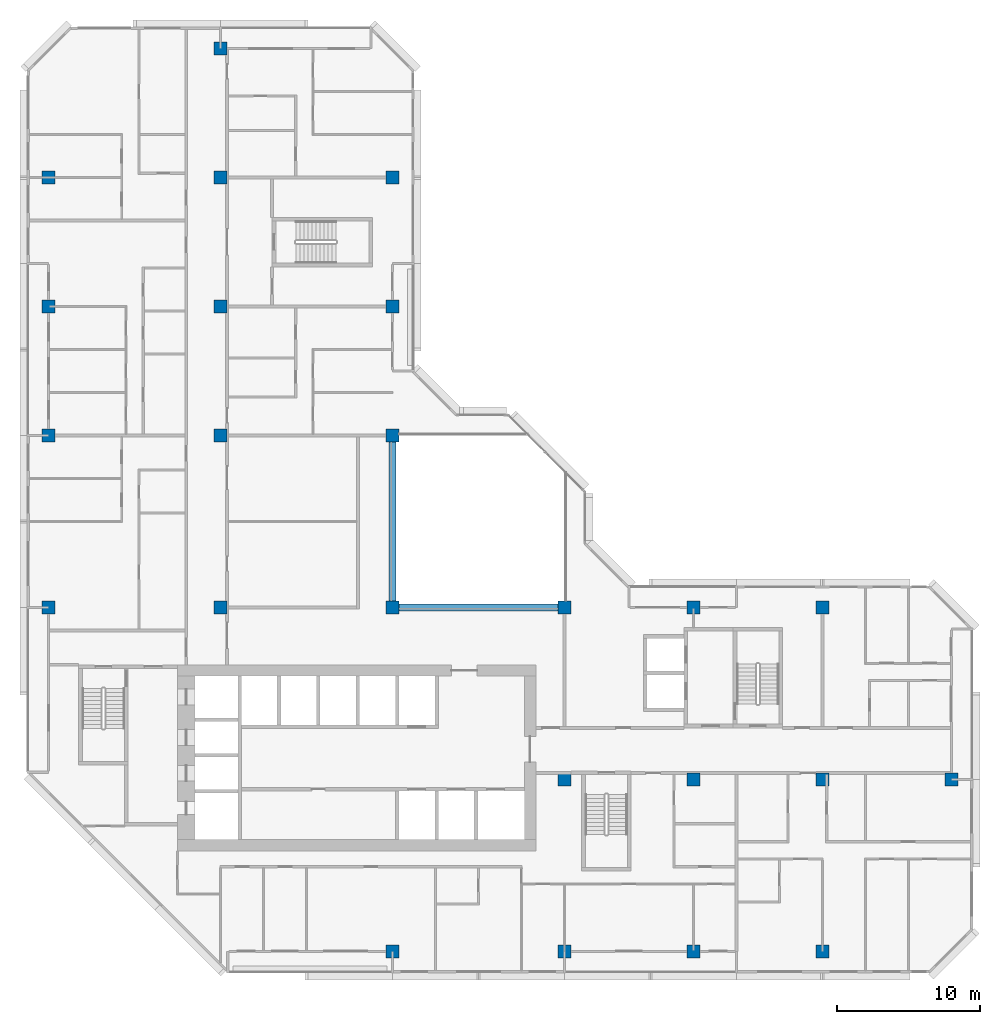
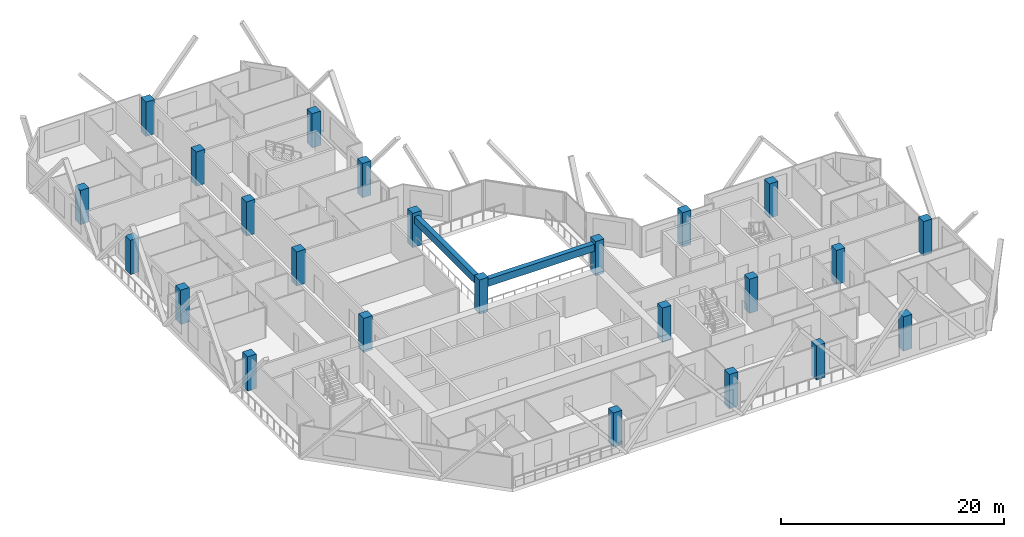
# One storey, part 1 of 14: 24 columns, 2 beams.
"""IFC4 building model written with IfcOpenShell, lengths in metres."""

from ifc_helpers import new_model, si_unit, direction, frame, origin, origin_2d, place, context, subcontext, project, spatial, rectangle, extrude, material, material_profile, profile_set, type_object, element, save


model = new_model("IFC4")

# Units and contexts
model_context = context("Model", 3, precision=1e-05, world=origin(), true_north=direction((0.0, 1.0)))
body_context = subcontext(model_context, "Body", "Model", "MODEL_VIEW")
ifc_project = project(units=[si_unit("LENGTHUNIT", "METRE"), si_unit("AREAUNIT", "SQUARE_METRE"), si_unit("VOLUMEUNIT", "CUBIC_METRE"), si_unit("PLANEANGLEUNIT", "RADIAN"), si_unit("MASSUNIT", "GRAM", prefix="KILO")], contexts=[model_context])

# Site, building, storey
site_placement = place(None, origin())
site = spatial("IfcSite", under=ifc_project, at=site_placement, CompositionType="ELEMENT")
building_placement = place(site_placement, origin())
building = spatial("IfcBuilding", under=site, at=building_placement, Name="Chenar Terraces", CompositionType="ELEMENT")
storey_placement = place(building_placement, frame((0.0, 0.0, 164.89990234375)))
storey = spatial("IfcBuildingStorey", under=building, at=storey_placement, Name="L37", CompositionType="ELEMENT", Elevation=164.89990234375)

# Columns
ifc_material_1 = material(Name="Concrete C60/75", Category="concrete")
ifc_material_profile_1 = material_profile(ifc_material_1, rectangle(XDim=0.89990234375, YDim=0.89990234375, at=origin_2d()), Name="C 900 x 900")
ifc_profile_set_1 = profile_set([ifc_material_profile_1], Name="Concrete C60/75")
column_type = type_object("IfcColumnType", Name="Column C 900 x 900 Concrete C60/75", PredefinedType="COLUMN", material=ifc_profile_set_1)
column_1_placement = place(storey_placement, frame((0.0, 24.0, 0.0), z_axis=(0.0, 0.0, 1.0), x_axis=(1.0, 0.0, 0.0)))
element("IfcColumn", 1, at=column_1_placement, inside=storey, type_object=column_type, Name="Column 5/G L37", PredefinedType="COLUMN", context=body_context, shape_type="SweptSolid", body=[
    extrude(rectangle(XDim=0.89990234375, YDim=0.89990234375, at=origin_2d()), origin(), (0.0, 0.0, 1.0), 3.75),
])
column_2_placement = place(storey_placement, frame((0.0, 36.0, 0.0), z_axis=(0.0, 0.0, 1.0), x_axis=(1.0, 0.0, 0.0)))
element("IfcColumn", 2, at=column_2_placement, inside=storey, type_object=column_type, Name="Column 5/H L37", PredefinedType="COLUMN", context=body_context, shape_type="SweptSolid", body=[
    extrude(rectangle(XDim=0.89990234375, YDim=0.89990234375, at=origin_2d()), origin(), (0.0, 0.0, 1.0), 3.75),
])
for number, where, z_axis, x_axis, name in (
    (3, (0.0, 45.0, 0.0), (0.0, 0.0, 1.0), (1.0, 0.0, 0.0), "Column 5/J L37"),
    (4, (0.0, 54.0, 0.0), (0.0, 0.0, 1.0), (1.0, 0.0, 0.0), "Column 5/K L37"),
    (5, (12.0, 24.0, 0.0), (0.0, 0.0, 1.0), (1.0, 0.0, 0.0), "Column 6/G L37"),
    (6, (12.0, 36.0, 0.0), (0.0, 0.0, 1.0), (1.0, 0.0, 0.0), "Column 6/H L37"),
    (7, (12.0, 45.0, 0.0), (0.0, 0.0, 1.0), (1.0, 0.0, 0.0), "Column 6/J L37"),
    (8, (12.0, 54.0, 0.0), (0.0, 0.0, 1.0), (1.0, 0.0, 0.0), "Column 6/K L37"),
    (9, (12.0, 63.0, 0.0), (0.0, 0.0, 1.0), (1.0, 0.0, 0.0), "Column 6/L L37"),
    (10, (24.0, 0.0, 0.0), (0.0, 0.0, 1.0), (1.0, 0.0, 0.0), "Column 7/E L37"),
    (11, (24.0, 24.0, 0.0), (0.0, 0.0, 1.0), (1.0, 0.0, 0.0), "Column 7/G L37"),
    (12, (24.0, 36.0, 0.0), (0.0, 0.0, 1.0), (1.0, 0.0, 0.0), "Column 7/H L37"),
    (13, (24.0, 45.0, 0.0), (0.0, 0.0, 1.0), (1.0, 0.0, 0.0), "Column 7/J L37"),
    (14, (24.0, 54.0, 0.0), (0.0, 0.0, 1.0), (1.0, 0.0, 0.0), "Column 7/K L37"),
    (15, (36.0, 0.0, 0.0), (0.0, 0.0, 1.0), (1.0, 0.0, 0.0), "Column 8/E L37"),
    (16, (36.0, 12.0, 0.0), (0.0, 0.0, 1.0), (1.0, 0.0, 0.0), "Column 8/F L37"),
    (17, (36.0, 24.0, 0.0), (0.0, 0.0, 1.0), (1.0, 0.0, 0.0), "Column 8/G L37"),
    (18, (45.0, 0.0, 0.0), (0.0, 0.0, 1.0), (1.0, 0.0, 0.0), "Column 9/E L37"),
    (19, (45.0, 12.0, 0.0), (0.0, 0.0, 1.0), (1.0, 0.0, 0.0), "Column 9/F L37"),
    (20, (45.0, 24.0, 0.0), (0.0, 0.0, 1.0), (1.0, 0.0, 0.0), "Column 9/G L37"),
    (21, (54.0, 0.0, 0.0), (0.0, 0.0, 1.0), (1.0, 0.0, 0.0), "Column 10/E L37"),
    (22, (54.0, 12.0, 0.0), (0.0, 0.0, 1.0), (1.0, 0.0, 0.0), "Column 10/F L37"),
    (23, (54.0, 24.0, 0.0), (0.0, 0.0, 1.0), (1.0, 0.0, 0.0), "Column 10/G L37"),
    (24, (63.0, 12.0, 0.0), (0.0, 0.0, 1.0), (1.0, 0.0, 0.0), "Column 11/F L37"),
):
    element("IfcColumn", number, at=place(storey_placement, frame(where, z_axis=z_axis, x_axis=x_axis)), inside=storey, type_object=column_type, Name=name, PredefinedType="COLUMN", context=body_context, shape_type="SweptSolid", body=[
        extrude(rectangle(XDim=0.89990234375, YDim=0.89990234375, at=origin_2d()), origin(), (0.0, 0.0, 1.0), 3.75),
    ])

# Beams
ifc_material_2 = material(Name="Concrete C40/50", Category="concrete")
ifc_material_profile_2 = material_profile(ifc_material_2, rectangle(XDim=0.5, YDim=0.800048828125, at=origin_2d()), Name="RC 500 x 800")
ifc_profile_set_2 = profile_set([ifc_material_profile_2], Name="Concrete C40/50")
beam_type = type_object("IfcBeamType", Name="Atrium edge beam 500 x 800 Concrete C40/50", PredefinedType="BEAM", material=ifc_profile_set_2)
for number, where, z_axis, x_axis, name in (
    (25, (24.449951171875, 24.0, 2.9501953125), (1.0, 0.0, 0.0), (0.0, 1.0, 0.0), "Atrium edge beam L38 1"),
    (26, (24.0, 35.550048828125, 2.9501953125), (0.0, -1.0, 0.0), (1.0, 0.0, 0.0), "Atrium edge beam L38 4"),
):
    element("IfcBeam", number, at=place(storey_placement, frame(where, z_axis=z_axis, x_axis=x_axis)), inside=storey, type_object=beam_type, Name=name, PredefinedType="BEAM", context=body_context, shape_type="SweptSolid", body=[
        extrude(rectangle(XDim=0.5, YDim=0.800048828125, at=origin_2d()), origin(), (0.0, 0.0, 1.0), 11.10009765625),
    ])

save(model, "model.ifc")
